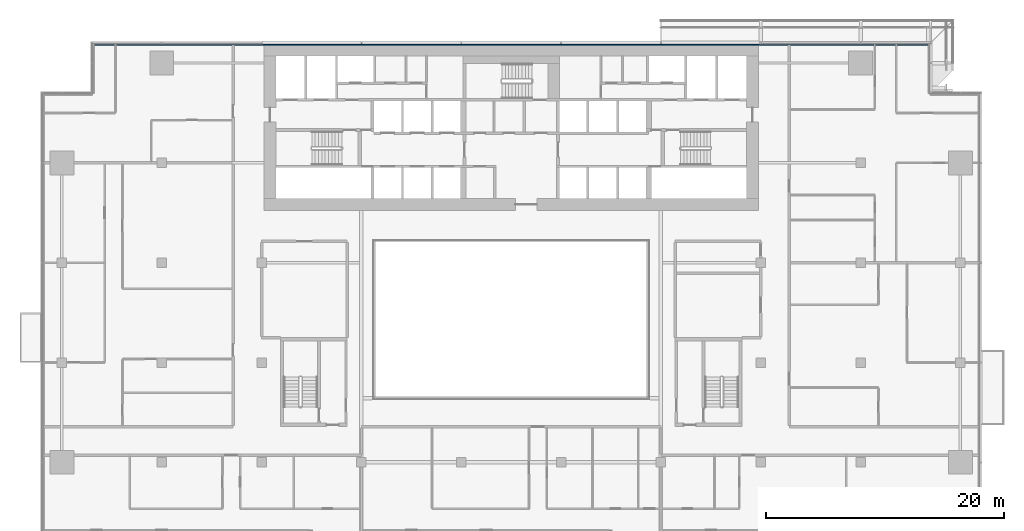
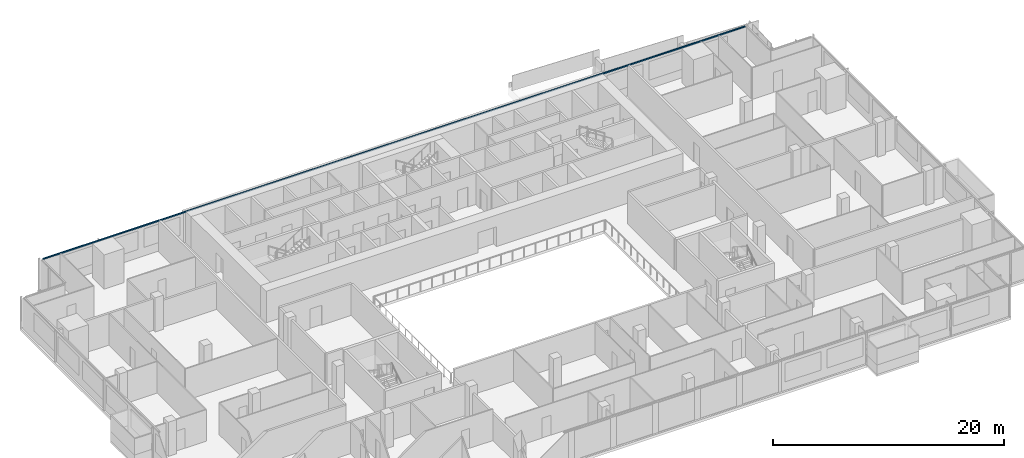
# One storey, part 9 of 29: 1 member, 1 element without a shape of its own.
"""IFC4 building model written with IfcOpenShell, lengths in metres."""

from ifc_helpers import new_model, si_unit, direction, frame, origin, origin_2d, place, context, subcontext, project, spatial, rectangle, extrude, material, material_profile, profile_set, type_object, element, aggregate, save


model = new_model("IFC4")

# Units and contexts
model_context = context("Model", 3, precision=1e-05, world=origin(), true_north=direction((0.0, 1.0)))
body_context = subcontext(model_context, "Body", "Model", "MODEL_VIEW")
ifc_project = project(units=[si_unit("LENGTHUNIT", "METRE"), si_unit("AREAUNIT", "SQUARE_METRE"), si_unit("VOLUMEUNIT", "CUBIC_METRE"), si_unit("PLANEANGLEUNIT", "RADIAN"), si_unit("MASSUNIT", "GRAM", prefix="KILO")], contexts=[model_context])

# Site, building, storey
site_placement = place(None, origin())
site = spatial("IfcSite", under=ifc_project, at=site_placement, CompositionType="ELEMENT")
building_placement = place(site_placement, origin())
building = spatial("IfcBuilding", under=site, at=building_placement, Name="Saffron Gate Tower", CompositionType="ELEMENT")
storey_placement = place(building_placement, frame((0.0, 0.0, 116.85009765625)))
storey = spatial("IfcBuildingStorey", under=building, at=storey_placement, Name="L27", CompositionType="ELEMENT", Elevation=116.85009765625)

# Curtain wall, member
ifc_material = material(Name="Aluminium, bronze anodised", Category="aluminium")
curtain_wall_type = type_object("IfcCurtainWallType", Name="CWS3 curtain wall rear facade", PredefinedType="NOTDEFINED", material=ifc_material)
curtain_wall_placement = place(storey_placement, origin())
curtain_wall = element("IfcCurtainWall", 1, at=curtain_wall_placement, inside=storey, type_object=curtain_wall_type, Name="CWS3 run 7", PredefinedType="NOTDEFINED")
ifc_material_profile = material_profile(ifc_material, rectangle(XDim=0.1201171875, YDim=0.1201171875, at=origin_2d()))
ifc_profile_set = profile_set([ifc_material_profile], Name="Aluminium, bronze anodised")
member_type = type_object("IfcMemberType", Name="CWS3 head transom", PredefinedType="USERDEFINED", material=ifc_profile_set)
member_placement = place(storey_placement, frame((122.632080078125, 75.35205078125, 3.260009765625), z_axis=(-1.0, 0.0, 0.0), x_axis=(0.0, -1.0, 0.0)))
member = element("IfcMember", 2, at=member_placement, type_object=member_type, Name="CWS3 head transom", ObjectType="TRANSOM", PredefinedType="USERDEFINED", context=body_context, shape_type="SweptSolid", body=[
    extrude(rectangle(XDim=0.1201171875, YDim=0.1201171875, at=origin_2d()), origin(), (0.0, 0.0, 1.0), 70.06396484375),
])
aggregate(curtain_wall, [member])

save(model, "model.ifc")
